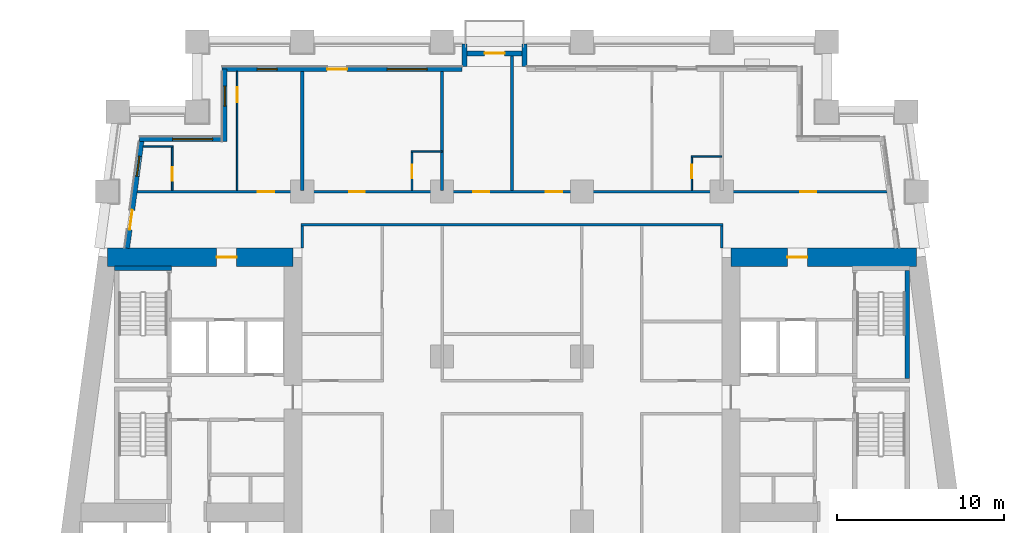
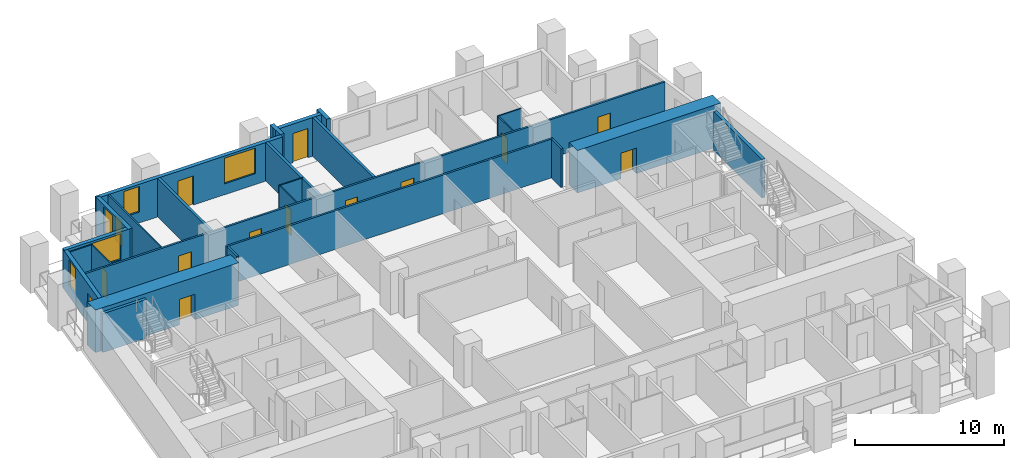
# One storey, part 6 of 12: 25 walls, 14 doors, 5 windows, 19 openings.
"""IFC4 building model written with IfcOpenShell, lengths in metres."""

import ifcopenshell
import ifcopenshell.guid

model = None  # the IFC model being written
_history = None  # IfcOwnerHistory: only IFC2X3 demands one
_inside = {}  # id of a spatial element -> (the spatial element, [elements in it])
_under = {}  # id of a project, library or spatial element -> (it, [spatial elements below it])
_declared = {}  # id of a project -> (the project, [libraries it declares])
_typed = {}  # id of a type object -> (the type object, [elements of that type])
_made_of = {}  # id of a material, layer set ... -> (it, [elements and type objects made of it])


def new_model(schema):
    """Start an empty IFC model of exactly this schema.

    Asked for "IFC4X3", IfcOpenShell would pick the latest addendum, in which some entities
    have other attributes; the version numbers below select the first issue.
    IFC2X3 requires an IfcOwnerHistory on every rooted entity: one is made here for all.
    """
    global model, _history
    if schema == "IFC4X3":
        model = ifcopenshell.file(schema_version=(4, 3, 0, 0))
    else:
        model = ifcopenshell.file(schema=schema)
    _inside.clear()
    _under.clear()
    _declared.clear()
    _typed.clear()
    _made_of.clear()
    _history = None
    if model.schema == "IFC2X3":
        org = make("IfcOrganization", Name="unknown")
        user = make(
            "IfcPersonAndOrganization",
            ThePerson=make("IfcPerson", FamilyName="unknown"),
            TheOrganization=org,
        )
        app = make(
            "IfcApplication",
            ApplicationDeveloper=org,
            Version="unknown",
            ApplicationFullName="unknown",
            ApplicationIdentifier="unknown",
        )
        _history = make(
            "IfcOwnerHistory",
            OwningUser=user,
            OwningApplication=app,
            ChangeAction="ADDED",
            CreationDate=0,
        )
    return model


def make(cls, **values):
    """One entity of the class cls with the attributes given. An attribute that is None is left unset."""
    return model.create_entity(
        cls, **{name: value for name, value in values.items() if value is not None}
    )


def rooted(cls, **values):
    """An entity with a GlobalId (a new one), such as an element, a storey or a relation."""
    return make(cls, GlobalId=ifcopenshell.guid.new(), OwnerHistory=_history, **values)


def si_unit(unit_type, name, prefix=None):
    """IfcSIUnit, for example si_unit("LENGTHUNIT", "METRE", prefix="MILLI")."""
    return make("IfcSIUnit", UnitType=unit_type, Prefix=prefix, Name=name)


def assignment(units):
    """IfcUnitAssignment: the units of a project."""
    return None if units is None else make("IfcUnitAssignment", Units=units)


def point(xyz):
    """IfcCartesianPoint."""
    return None if xyz is None else make("IfcCartesianPoint", Coordinates=xyz)


def direction(xyz):
    """IfcDirection."""
    return None if xyz is None else make("IfcDirection", DirectionRatios=xyz)


def frame(location, z_axis=None, x_axis=None):
    """IfcAxis2Placement3D, a coordinate frame: its origin and axes. An axis left out is left unset."""
    return make(
        "IfcAxis2Placement3D",
        Location=point(location),
        Axis=direction(z_axis),
        RefDirection=direction(x_axis),
    )


def frame_2d(location, x_axis=None):
    """IfcAxis2Placement2D, a coordinate frame in the plane: its origin and x axis."""
    return make(
        "IfcAxis2Placement2D", Location=point(location), RefDirection=direction(x_axis)
    )


def origin():
    """The frame at (0, 0, 0) with its axes left unset."""
    return frame((0.0, 0.0, 0.0))


def place(relative_to, where):
    """IfcLocalPlacement: puts the frame where relative to a parent placement (None: the world)."""
    return make(
        "IfcLocalPlacement", PlacementRelTo=relative_to, RelativePlacement=where
    )


def context(
    kind, dimensions, precision=None, world=None, true_north=None, identifier=None
):
    """IfcGeometricRepresentationContext, for example the 3D "Model" context."""
    return make(
        "IfcGeometricRepresentationContext",
        ContextIdentifier=identifier,
        ContextType=kind,
        CoordinateSpaceDimension=dimensions,
        Precision=precision,
        WorldCoordinateSystem=world,
        TrueNorth=true_north,
    )


def subcontext(parent, identifier, kind, view, scale=None):
    """IfcGeometricRepresentationSubContext, for example "Body" below "Model"."""
    return make(
        "IfcGeometricRepresentationSubContext",
        ContextIdentifier=identifier,
        ContextType=kind,
        ParentContext=parent,
        TargetScale=scale,
        TargetView=view,
    )


def project(units=None, contexts=None):
    """IfcProject with its units and contexts."""
    return rooted(
        "IfcProject",
        Name="project",
        RepresentationContexts=contexts,
        UnitsInContext=assignment(units),
    )


def spatial(cls, under=None, at=None, **own):
    """A site, building, storey or space (cls), placed at a placement, below another one or the project."""
    s = rooted(cls, ObjectPlacement=at, **own)
    if under is not None:
        _under.setdefault(under.id(), (under, []))[1].append(s)
    return s


def profile(cls, at=None, kind="AREA", **sizes):
    """A parametric profile (cls). Its sizes go by their IFC names, for example OverallWidth=200.0."""
    return make(cls, ProfileType=kind, Position=at, **sizes)


def rectangle(**sizes):
    """IfcRectangleProfileDef."""
    return profile("IfcRectangleProfileDef", **sizes)


def extrude(swept, where, along, depth):
    """IfcExtrudedAreaSolid: the profile swept, set in the frame where, extruded along a direction by depth."""
    return make(
        "IfcExtrudedAreaSolid",
        SweptArea=swept,
        Position=where,
        ExtrudedDirection=direction(along),
        Depth=depth,
    )


def shape(context_of_items, identifier, shape_type, items):
    """IfcShapeRepresentation: the items that make up one representation, for example the "Body"."""
    return make(
        "IfcShapeRepresentation",
        ContextOfItems=context_of_items,
        RepresentationIdentifier=identifier,
        RepresentationType=shape_type,
        Items=items,
    )


def material(Name=None, Category=None):
    """IfcMaterial."""
    return make("IfcMaterial", Name=Name, Category=Category)


def layer(
    of_material, thickness, ventilated=None, Name=None, Category=None, Priority=None
):
    """IfcMaterialLayer: one layer of a wall or slab, of a material (None: an air gap)."""
    return make(
        "IfcMaterialLayer",
        Material=of_material,
        LayerThickness=thickness,
        IsVentilated=ventilated,
        Name=Name,
        Category=Category,
        Priority=Priority,
    )


def layer_set(layers, Name=None):
    """IfcMaterialLayerSet."""
    return make("IfcMaterialLayerSet", MaterialLayers=layers, LayerSetName=Name)


def made_of(thing, what):
    """Note that an element or type object is made of a material, layer set ...; save() writes the relation."""
    if what is not None:
        _made_of.setdefault(what.id(), (what, []))[1].append(thing)
    return thing


def type_object(cls, material=None, **own):
    """A type object (cls), such as IfcWallType, which elements share."""
    return made_of(rooted(cls, **own), material)


def element(
    cls,
    number,
    at=None,
    inside=None,
    cuts=None,
    type_object=None,
    material=None,
    context=None,
    identifier="Body",
    shape_type=None,
    held_by="IfcProductDefinitionShape",
    body=None,
    shapes=None,
    **own,
):
    """One element of the class cls, such as IfcWall. Its Tag is "e" and its number.

    at: its placement. inside: the storey or other place that contains it. cuts: it is an
    opening in that element (IfcRelVoidsElement). A single representation is given by context,
    identifier, shape_type and body (its items); several are given by shapes. held_by: the class
    of the entity that holds the representations. save() writes the other relations.
    """
    e = rooted(cls, Tag="e%d" % number, ObjectPlacement=at, **own)
    if body is not None:
        shapes = [shape(context, identifier, shape_type, body)]
    if shapes is not None:
        e.Representation = make(held_by, Representations=shapes)
    if inside is not None:
        _inside.setdefault(inside.id(), (inside, []))[1].append(e)
    if cuts is not None:
        rooted(
            "IfcRelVoidsElement", RelatingBuildingElement=cuts, RelatedOpeningElement=e
        )
    if type_object is not None:
        _typed.setdefault(type_object.id(), (type_object, []))[1].append(e)
    return made_of(e, material)


def fill(opening, filler):
    """IfcRelFillsElement: the door or window that sits in an opening."""
    return rooted(
        "IfcRelFillsElement",
        RelatingOpeningElement=opening,
        RelatedBuildingElement=filler,
    )


def aggregate(whole, parts):
    """IfcRelAggregates: a whole, such as a stair, and the parts it consists of."""
    return rooted("IfcRelAggregates", RelatingObject=whole, RelatedObjects=parts)


def save(model, path):
    """Write the relations noted so far, then the file.

    IfcRelAggregates (storeys below a building ...), IfcRelContainedInSpatialStructure (elements
    in a storey), IfcRelDefinesByType, IfcRelAssociatesMaterial and IfcRelDeclares: one each for
    every whole, place, type object, material and project.
    """
    for whole, parts in _under.values():
        aggregate(whole, parts)
    for where, things in _inside.values():
        rooted(
            "IfcRelContainedInSpatialStructure",
            RelatedElements=things,
            RelatingStructure=where,
        )
    for kind, things in _typed.values():
        rooted("IfcRelDefinesByType", RelatedObjects=things, RelatingType=kind)
    for what, things in _made_of.values():
        rooted("IfcRelAssociatesMaterial", RelatedObjects=things, RelatingMaterial=what)
    for by, libraries in _declared.values():
        rooted("IfcRelDeclares", RelatingContext=by, RelatedDefinitions=libraries)
    model.write(path)


model = new_model("IFC4")

# Units and contexts
model_context = context("Model", 3, precision=1e-05, world=origin(), true_north=direction((0.0, 1.0)))
body_context = subcontext(model_context, "Body", "Model", "MODEL_VIEW")
ifc_project = project(units=[si_unit("LENGTHUNIT", "METRE"), si_unit("AREAUNIT", "SQUARE_METRE"), si_unit("VOLUMEUNIT", "CUBIC_METRE"), si_unit("PLANEANGLEUNIT", "RADIAN"), si_unit("MASSUNIT", "GRAM", prefix="KILO")], contexts=[model_context])

# Site, building, storey
site_placement = place(None, origin())
site = spatial("IfcSite", under=ifc_project, at=site_placement, CompositionType="ELEMENT")
building_placement = place(site_placement, origin())
building = spatial("IfcBuilding", under=site, at=building_placement, Name="Candeia Pilgrim Tower and Theatre", CompositionType="ELEMENT")
storey_placement = place(building_placement, frame((0.0, 0.0, 39.0)))
storey = spatial("IfcBuildingStorey", under=building, at=storey_placement, Name="L06", CompositionType="ELEMENT", Elevation=39.0)

# Wall, opening, door
ifc_material_1 = material(Name="Concrete C80/95", Category="concrete")
ifc_layer_1 = layer(ifc_material_1, 1.10009765625)
ifc_layer_set_1 = layer_set([ifc_layer_1], Name="Core wall 1100 C80/95")
wall_type_1 = type_object("IfcWallType", Name="Core wall 1100 C80/95", PredefinedType="SHEAR", material=ifc_layer_set_1)
wall_1_placement = place(storey_placement, frame((89.111572265625, 131.85009765625, 0.0), z_axis=(0.0, 0.0, 1.0), x_axis=(1.0, 0.0, 0.0)))
wall_1 = element("IfcWall", 1, at=wall_1_placement, inside=storey, type_object=wall_type_1, Name="Core wall W1", PredefinedType="SHEAR", context=body_context, shape_type="SweptSolid", body=[
    extrude(rectangle(XDim=11.138427734375, YDim=1.10009765625, at=frame_2d((5.5693359375, 0.0))), origin(), (0.0, 0.0, 1.0), 3.5),
])
opening_1_placement = place(wall_1_placement, frame((6.5517578125, 0.0, 0.0)))
opening_1 = element("IfcOpeningElement", 2, at=opening_1_placement, cuts=wall_1, Name="Opening L06-D054", PredefinedType="OPENING", context=body_context, shape_type="SweptSolid", body=[
    extrude(rectangle(XDim=1.199951171875, YDim=2.10009765625, at=frame_2d((0.60009765625, 1.050048828125))), frame((0.0, 0.56005859375, 0.0), z_axis=(0.0, -1.0, 0.0), x_axis=(1.0, 0.0, 0.0)), (0.0, 0.0, 1.0), 1.1201171875),
])
ifc_material_2 = material(Name="Steel fire door set", Category="steel")
door_type_1 = type_object("IfcDoorType", Name="D-1200-FD60", OperationType="NOTDEFINED", PredefinedType="DOOR", material=ifc_material_2)
door_1_placement = place(opening_1_placement, origin())
door_1 = element("IfcDoor", 3, at=door_1_placement, inside=storey, type_object=door_type_1, Name="Door L06-D054", OperationType="SINGLE_SWING_RIGHT", OverallHeight=2.10009765625, OverallWidth=1.199951171875, PredefinedType="DOOR", context=body_context, shape_type="SweptSolid", body=[
    extrude(rectangle(XDim=1.199951171875, YDim=2.10009765625, at=frame_2d((0.60009765625, 1.050048828125))), frame((0.0, 0.02490234375, 0.0), z_axis=(0.0, -1.0, 0.0), x_axis=(1.0, 0.0, 0.0)), (0.0, 0.0, 1.0), 0.050048828125),
])
fill(opening_1, door_1)

wall_2_placement = place(storey_placement, frame((126.550048828125, 131.85009765625, 0.0), z_axis=(0.0, 0.0, 1.0), x_axis=(1.0, 0.0, 0.0)))
wall_2 = element("IfcWall", 4, at=wall_2_placement, inside=storey, type_object=wall_type_1, Name="Core wall E1", PredefinedType="SHEAR", context=body_context, shape_type="SweptSolid", body=[
    extrude(rectangle(XDim=11.13818359375, YDim=1.10009765625, at=frame_2d((5.569091796875, 0.0))), origin(), (0.0, 0.0, 1.0), 3.5),
])
opening_2_placement = place(wall_2_placement, frame((3.386474609375, 0.0, 0.0)))
opening_2 = element("IfcOpeningElement", 5, at=opening_2_placement, cuts=wall_2, Name="Opening L06-D057", PredefinedType="OPENING", context=body_context, shape_type="SweptSolid", body=[
    extrude(rectangle(XDim=1.199951171875, YDim=2.10009765625, at=frame_2d((0.60009765625, 1.050048828125))), frame((0.0, 0.56005859375, 0.0), z_axis=(0.0, -1.0, 0.0), x_axis=(1.0, 0.0, 0.0)), (0.0, 0.0, 1.0), 1.1201171875),
])
door_2_placement = place(opening_2_placement, origin())
door_2 = element("IfcDoor", 6, at=door_2_placement, inside=storey, type_object=door_type_1, Name="Door L06-D057", OperationType="SINGLE_SWING_LEFT", OverallHeight=2.10009765625, OverallWidth=1.199951171875, PredefinedType="DOOR", context=body_context, shape_type="SweptSolid", body=[
    extrude(rectangle(XDim=1.199951171875, YDim=2.10009765625, at=frame_2d((0.60009765625, 1.050048828125))), frame((0.0, 0.02490234375, 0.0), z_axis=(0.0, -1.0, 0.0), x_axis=(1.0, 0.0, 0.0)), (0.0, 0.0, 1.0), 0.050048828125),
])
fill(opening_2, door_2)

# Wall, openings, door, windows
ifc_material_3 = material(Name="Ceramic block masonry", Category="masonry")
ifc_layer_2 = layer(ifc_material_3, 0.300048828125)
ifc_layer_set_2 = layer_set([ifc_layer_2], Name="EW1 glazing-line wall 300")
wall_type_2 = type_object("IfcWallType", Name="EW1 glazing-line wall 300", PredefinedType="SOLIDWALL", material=ifc_layer_set_2)
wall_3_placement = place(storey_placement, frame((110.39990234375, 143.14990234375, 0.0), z_axis=(0.0, 0.0, 1.0), x_axis=(-1.0, 0.0, 0.0)))
wall_3 = element("IfcWall", 7, at=wall_3_placement, inside=storey, type_object=wall_type_2, Name="External wall L06-6.1", PredefinedType="SOLIDWALL", context=body_context, shape_type="SweptSolid", body=[
    extrude(rectangle(XDim=14.39990234375, YDim=0.300048828125, at=frame_2d((7.199951171875, 0.0))), origin(), (0.0, 0.0, 1.0), 3.179931640625),
])
opening_3_placement = place(wall_3_placement, frame((2.10009765625, 0.0, 0.89990234375)))
opening_3 = element("IfcOpeningElement", 8, at=opening_3_placement, cuts=wall_3, Name="Opening W-A", PredefinedType="OPENING", context=body_context, shape_type="SweptSolid", body=[
    extrude(rectangle(XDim=2.39990234375, YDim=2.10009765625, at=frame_2d((1.199951171875, 1.050048828125))), frame((0.0, 0.16015625, 0.0), z_axis=(0.0, -1.0, 0.0), x_axis=(1.0, 0.0, 0.0)), (0.0, 0.0, 1.0), 0.320068359375),
])
opening_4_placement = place(wall_3_placement, frame((6.89990234375, 0.0, 0.0)))
opening_4 = element("IfcOpeningElement", 9, at=opening_4_placement, cuts=wall_3, Name="Opening L06-ED087", PredefinedType="OPENING", context=body_context, shape_type="SweptSolid", body=[
    extrude(rectangle(XDim=1.199951171875, YDim=2.39990234375, at=frame_2d((0.60009765625, 1.199951171875))), frame((0.0, 0.16015625, 0.0), z_axis=(0.0, -1.0, 0.0), x_axis=(1.0, 0.0, 0.0)), (0.0, 0.0, 1.0), 0.320068359375),
])
opening_5_placement = place(wall_3_placement, frame((11.10009765625, 0.0, 0.89990234375)))
opening_5 = element("IfcOpeningElement", 10, at=opening_5_placement, cuts=wall_3, Name="Opening W-B", PredefinedType="OPENING", context=body_context, shape_type="SweptSolid", body=[
    extrude(rectangle(XDim=1.199951171875, YDim=2.10009765625, at=frame_2d((0.60009765625, 1.050048828125))), frame((0.0, 0.16015625, 0.0), z_axis=(0.0, -1.0, 0.0), x_axis=(1.0, 0.0, 0.0)), (0.0, 0.0, 1.0), 0.320068359375),
])
ifc_material_4 = material(Name="Aluminium framed glazed door", Category="aluminium")
door_type_2 = type_object("IfcDoorType", Name="Loggia door 1200x2400", OperationType="DOUBLE_DOOR_SINGLE_SWING", PredefinedType="DOOR", material=ifc_material_4)
door_3_placement = place(opening_4_placement, origin())
door_3 = element("IfcDoor", 11, at=door_3_placement, inside=storey, type_object=door_type_2, Name="Loggia door L06-ED087", OperationType="DOUBLE_DOOR_SINGLE_SWING", OverallHeight=2.39990234375, OverallWidth=1.199951171875, PredefinedType="DOOR", context=body_context, shape_type="SweptSolid", body=[
    extrude(rectangle(XDim=1.199951171875, YDim=2.39990234375, at=frame_2d((0.60009765625, 1.199951171875))), frame((0.0, 0.02490234375, 0.0), z_axis=(0.0, -1.0, 0.0), x_axis=(1.0, 0.0, 0.0)), (0.0, 0.0, 1.0), 0.050048828125),
])
fill(opening_4, door_3)
ifc_material_5 = material(Name="Aluminium framed double glazing", Category="aluminium")
window_type_1 = type_object("IfcWindowType", Name="W-A window 2400x2100", PartitioningType="DOUBLE_PANEL_VERTICAL", PredefinedType="WINDOW", material=ifc_material_5)
window_1_placement = place(opening_3_placement, origin())
window_1 = element("IfcWindow", 12, at=window_1_placement, inside=storey, type_object=window_type_1, Name="Window W-A L06", OverallHeight=2.10009765625, OverallWidth=2.39990234375, PartitioningType="SINGLE_PANEL", PredefinedType="WINDOW", context=body_context, shape_type="SweptSolid", body=[
    extrude(rectangle(XDim=2.39990234375, YDim=2.10009765625, at=frame_2d((1.199951171875, 1.050048828125))), frame((0.0, 0.030029296875, 0.0), z_axis=(0.0, -1.0, 0.0), x_axis=(1.0, 0.0, 0.0)), (0.0, 0.0, 1.0), 0.06005859375),
])
fill(opening_3, window_1)
window_type_2 = type_object("IfcWindowType", Name="W-B window 1200x2100", PartitioningType="SINGLE_PANEL", PredefinedType="WINDOW", material=ifc_material_5)
window_2_placement = place(opening_5_placement, origin())
window_2 = element("IfcWindow", 13, at=window_2_placement, inside=storey, type_object=window_type_2, Name="Window W-B L06", OverallHeight=2.10009765625, OverallWidth=1.199951171875, PartitioningType="SINGLE_PANEL", PredefinedType="WINDOW", context=body_context, shape_type="SweptSolid", body=[
    extrude(rectangle(XDim=1.199951171875, YDim=2.10009765625, at=frame_2d((0.60009765625, 1.050048828125))), frame((0.0, 0.030029296875, 0.0), z_axis=(0.0, -1.0, 0.0), x_axis=(1.0, 0.0, 0.0)), (0.0, 0.0, 1.0), 0.06005859375),
])
fill(opening_5, window_2)

# Wall, opening, window
wall_4_placement = place(storey_placement, frame((96.14990234375, 143.14990234375, 0.0), z_axis=(0.0, 0.0, 1.0), x_axis=(0.0, -1.0, 0.0)))
wall_4 = element("IfcWall", 14, at=wall_4_placement, inside=storey, type_object=wall_type_2, Name="External wall L06-7.0", PredefinedType="SOLIDWALL", context=body_context, shape_type="SweptSolid", body=[
    extrude(rectangle(XDim=4.349853515625, YDim=0.300048828125, at=frame_2d((2.1748046875, 0.0))), origin(), (0.0, 0.0, 1.0), 3.179931640625),
])
opening_6_placement = place(wall_4_placement, frame((1.02490234375, 0.0, 0.89990234375)))
opening_6 = element("IfcOpeningElement", 15, at=opening_6_placement, cuts=wall_4, Name="Opening W-B", PredefinedType="OPENING", context=body_context, shape_type="SweptSolid", body=[
    extrude(rectangle(XDim=1.199951171875, YDim=2.10009765625, at=frame_2d((0.60009765625, 1.050048828125))), frame((0.0, 0.16015625, 0.0), z_axis=(0.0, -1.0, 0.0), x_axis=(1.0, 0.0, 0.0)), (0.0, 0.0, 1.0), 0.320068359375),
])
window_3_placement = place(opening_6_placement, origin())
window_3 = element("IfcWindow", 16, at=window_3_placement, inside=storey, type_object=window_type_2, Name="Window W-B L06", OverallHeight=2.10009765625, OverallWidth=1.199951171875, PartitioningType="SINGLE_PANEL", PredefinedType="WINDOW", context=body_context, shape_type="SweptSolid", body=[
    extrude(rectangle(XDim=1.199951171875, YDim=2.10009765625, at=frame_2d((0.60009765625, 1.050048828125))), frame((0.0, 0.030029296875, 0.0), z_axis=(0.0, -1.0, 0.0), x_axis=(1.0, 0.0, 0.0)), (0.0, 0.0, 1.0), 0.06005859375),
])
fill(opening_6, window_3)

wall_5_placement = place(storey_placement, frame((96.14990234375, 138.949951171875, 0.0), z_axis=(0.0, 0.0, 1.0), x_axis=(-1.0, 0.0, 0.0)))
wall_5 = element("IfcWall", 17, at=wall_5_placement, inside=storey, type_object=wall_type_2, Name="External wall L06-8.0", PredefinedType="SOLIDWALL", context=body_context, shape_type="SweptSolid", body=[
    extrude(rectangle(XDim=5.103759765625, YDim=0.300048828125, at=frame_2d((2.5517578125, 0.0))), origin(), (0.0, 0.0, 1.0), 3.179931640625),
])
opening_7_placement = place(wall_5_placement, frame((0.72509765625, 0.0, 0.89990234375)))
opening_7 = element("IfcOpeningElement", 18, at=opening_7_placement, cuts=wall_5, Name="Opening W-A", PredefinedType="OPENING", context=body_context, shape_type="SweptSolid", body=[
    extrude(rectangle(XDim=2.39990234375, YDim=2.10009765625, at=frame_2d((1.199951171875, 1.050048828125))), frame((0.0, 0.16015625, 0.0), z_axis=(0.0, -1.0, 0.0), x_axis=(1.0, 0.0, 0.0)), (0.0, 0.0, 1.0), 0.320068359375),
])
window_4_placement = place(opening_7_placement, origin())
window_4 = element("IfcWindow", 19, at=window_4_placement, inside=storey, type_object=window_type_1, Name="Window W-A L06", OverallHeight=2.10009765625, OverallWidth=2.39990234375, PartitioningType="SINGLE_PANEL", PredefinedType="WINDOW", context=body_context, shape_type="SweptSolid", body=[
    extrude(rectangle(XDim=2.39990234375, YDim=2.10009765625, at=frame_2d((1.199951171875, 1.050048828125))), frame((0.0, 0.030029296875, 0.0), z_axis=(0.0, -1.0, 0.0), x_axis=(1.0, 0.0, 0.0)), (0.0, 0.0, 1.0), 0.06005859375),
])
fill(opening_7, window_4)

# Wall, openings, door, window
wall_6_placement = place(storey_placement, frame((91.177490234375, 138.949951171875, 0.0), z_axis=(0.0, 0.0, 1.0), x_axis=(-0.133426664613, -0.991058689065, 0.0)))
wall_6 = element("IfcWall", 20, at=wall_6_placement, inside=storey, type_object=wall_type_2, Name="External wall L06-9.0", PredefinedType="SOLIDWALL", context=body_context, shape_type="SweptSolid", body=[
    extrude(rectangle(XDim=6.609130859375, YDim=0.300048828125, at=frame_2d((3.3046875, 0.0))), origin(), (0.0, 0.0, 1.0), 3.179931640625),
])
opening_8_placement = place(wall_6_placement, frame((1.039306640625, 0.0, 0.89990234375)))
opening_8 = element("IfcOpeningElement", 21, at=opening_8_placement, cuts=wall_6, Name="Opening W-B", PredefinedType="OPENING", context=body_context, shape_type="SweptSolid", body=[
    extrude(rectangle(XDim=1.199951171875, YDim=2.10009765625, at=frame_2d((0.60009765625, 1.050048828125))), frame((0.0, 0.16015625, 0.0), z_axis=(0.0, -1.0, 0.0), x_axis=(1.0, 0.0, 0.0)), (0.0, 0.0, 1.0), 0.320068359375),
])
opening_9_placement = place(wall_6_placement, frame((4.293701171875, 0.0, 0.0)))
opening_9 = element("IfcOpeningElement", 22, at=opening_9_placement, cuts=wall_6, Name="Opening L06-ED089", PredefinedType="OPENING", context=body_context, shape_type="SweptSolid", body=[
    extrude(rectangle(XDim=1.199951171875, YDim=2.39990234375, at=frame_2d((0.60009765625, 1.199951171875))), frame((0.0, 0.16015625, 0.0), z_axis=(0.0, -1.0, 0.0), x_axis=(1.0, 0.0, 0.0)), (0.0, 0.0, 1.0), 0.320068359375),
])
door_4_placement = place(opening_9_placement, origin())
door_4 = element("IfcDoor", 23, at=door_4_placement, inside=storey, type_object=door_type_2, Name="Loggia door L06-ED089", OperationType="DOUBLE_DOOR_SINGLE_SWING", OverallHeight=2.39990234375, OverallWidth=1.199951171875, PredefinedType="DOOR", context=body_context, shape_type="SweptSolid", body=[
    extrude(rectangle(XDim=1.199951171875, YDim=2.39990234375, at=frame_2d((0.60009765625, 1.199951171875))), frame((0.0, 0.02490234375, 0.0), z_axis=(0.0, -1.0, 0.0), x_axis=(1.0, 0.0, 0.0)), (0.0, 0.0, 1.0), 0.050048828125),
])
fill(opening_9, door_4)
window_5_placement = place(opening_8_placement, origin())
window_5 = element("IfcWindow", 24, at=window_5_placement, inside=storey, type_object=window_type_2, Name="Window W-B L06", OverallHeight=2.10009765625, OverallWidth=1.199951171875, PartitioningType="SINGLE_PANEL", PredefinedType="WINDOW", context=body_context, shape_type="SweptSolid", body=[
    extrude(rectangle(XDim=1.199951171875, YDim=2.10009765625, at=frame_2d((0.60009765625, 1.050048828125))), frame((0.0, 0.030029296875, 0.0), z_axis=(0.0, -1.0, 0.0), x_axis=(1.0, 0.0, 0.0)), (0.0, 0.0, 1.0), 0.06005859375),
])
fill(opening_8, window_5)

# Walls
ifc_layer_3 = layer(ifc_material_3, 0.300048828125)
ifc_layer_set_3 = layer_set([ifc_layer_3], Name="EW2 entrance infill wall 300")
wall_type_3 = type_object("IfcWallType", Name="EW2 entrance infill wall 300", PredefinedType="SOLIDWALL", material=ifc_layer_set_3)
for number, where, z_axis, x_axis, name in (
    (25, (114.14990234375, 143.300048828125, 0.0), (0.0, 0.0, 1.0), (0.0, 1.0, 0.0), "Alcove wall L06"),
    (26, (110.550048828125, 143.300048828125, 0.0), (0.0, 0.0, 1.0), (0.0, 1.0, 0.0), "Alcove wall L06"),
):
    element("IfcWall", number, at=place(storey_placement, frame(where, z_axis=z_axis, x_axis=x_axis)), inside=storey, type_object=wall_type_3, Name=name, PredefinedType="SOLIDWALL", context=body_context, shape_type="SweptSolid", body=[
        extrude(rectangle(XDim=1.349853515625, YDim=0.300048828125, at=frame_2d((0.6748046875, 0.0))), origin(), (0.0, 0.0, 1.0), 3.179931640625),
    ])

# Wall, opening, door
wall_7_placement = place(storey_placement, frame((114.300048828125, 144.10009765625, 0.0), z_axis=(0.0, 0.0, 1.0), x_axis=(-1.0, 0.0, 0.0)))
wall_7 = element("IfcWall", 27, at=wall_7_placement, inside=storey, type_object=wall_type_3, Name="Alcove wall L06", PredefinedType="SOLIDWALL", context=body_context, shape_type="SweptSolid", body=[
    extrude(rectangle(XDim=3.900146484375, YDim=0.300048828125, at=frame_2d((1.9501953125, 0.0))), origin(), (0.0, 0.0, 1.0), 3.179931640625),
])
opening_10_placement = place(wall_7_placement, frame((1.35009765625, 0.0, 0.0)))
opening_10 = element("IfcOpeningElement", 28, at=opening_10_placement, cuts=wall_7, Name="Opening L06-ED088", PredefinedType="OPENING", context=body_context, shape_type="SweptSolid", body=[
    extrude(rectangle(XDim=1.199951171875, YDim=2.39990234375, at=frame_2d((0.60009765625, 1.199951171875))), frame((0.0, 0.16015625, 0.0), z_axis=(0.0, -1.0, 0.0), x_axis=(1.0, 0.0, 0.0)), (0.0, 0.0, 1.0), 0.320068359375),
])
door_5_placement = place(opening_10_placement, origin())
door_5 = element("IfcDoor", 29, at=door_5_placement, inside=storey, type_object=door_type_2, Name="Balcony door L06-ED088", OperationType="DOUBLE_DOOR_SINGLE_SWING", OverallHeight=2.39990234375, OverallWidth=1.199951171875, PredefinedType="DOOR", context=body_context, shape_type="SweptSolid", body=[
    extrude(rectangle(XDim=1.199951171875, YDim=2.39990234375, at=frame_2d((0.60009765625, 1.199951171875))), frame((0.0, 0.02490234375, 0.0), z_axis=(0.0, -1.0, 0.0), x_axis=(1.0, 0.0, 0.0)), (0.0, 0.0, 1.0), 0.050048828125),
])
fill(opening_10, door_5)

# Walls
ifc_material_6 = material(Name="Gypsum board partition on steel studs", Category="steel")
ifc_layer_4 = layer(ifc_material_6, 0.10009765625)
ifc_layer_set_4 = layer_set([ifc_layer_4], Name="PW-100 room partition")
wall_type_4 = type_object("IfcWallType", Name="PW-100 room partition", PredefinedType="PARTITIONING", material=ifc_layer_set_4)
wall_8_placement = place(storey_placement, frame((124.14990234375, 137.89990234375, 0.0), z_axis=(0.0, 0.0, 1.0), x_axis=(1.0, 0.0, 0.0)))
element("IfcWall", 30, at=wall_8_placement, inside=storey, type_object=wall_type_4, Name="Room partition L06-047", PredefinedType="PARTITIONING", context=body_context, shape_type="SweptSolid", body=[
    extrude(rectangle(XDim=1.85009765625, YDim=0.10009765625, at=frame_2d((0.925048828125, 0.0))), origin(), (0.0, 0.0, 1.0), 3.179931640625),
])
wall_9_placement = place(storey_placement, frame((107.35009765625, 138.199951171875, 0.0), z_axis=(0.0, 0.0, 1.0), x_axis=(1.0, 0.0, 0.0)))
element("IfcWall", 31, at=wall_9_placement, inside=storey, type_object=wall_type_4, Name="Room partition L06-048", PredefinedType="PARTITIONING", context=body_context, shape_type="SweptSolid", body=[
    extrude(rectangle(XDim=1.849853515625, YDim=0.10009765625, at=frame_2d((0.9248046875, 0.0))), origin(), (0.0, 0.0, 1.0), 3.179931640625),
])
wall_10_placement = place(storey_placement, frame((91.258056640625, 138.5, 0.0), z_axis=(0.0, 0.0, 1.0), x_axis=(1.0, 0.0, 0.0)))
element("IfcWall", 32, at=wall_10_placement, inside=storey, type_object=wall_type_4, Name="Room partition L06-049", PredefinedType="PARTITIONING", context=body_context, shape_type="SweptSolid", body=[
    extrude(rectangle(XDim=1.7919921875, YDim=0.10009765625, at=frame_2d((0.89599609375, 0.0))), origin(), (0.0, 0.0, 1.0), 3.179931640625),
])

# Wall, opening, door
wall_11_placement = place(storey_placement, frame((93.0, 135.875, 0.0), z_axis=(0.0, 0.0, 1.0), x_axis=(0.0, 1.0, 0.0)))
wall_11 = element("IfcWall", 33, at=wall_11_placement, inside=storey, type_object=wall_type_4, Name="Room partition L06-062", PredefinedType="PARTITIONING", context=body_context, shape_type="SweptSolid", body=[
    extrude(rectangle(XDim=2.574951171875, YDim=0.10009765625, at=frame_2d((1.28759765625, 0.0))), origin(), (0.0, 0.0, 1.0), 3.179931640625),
])
opening_11_placement = place(wall_11_placement, frame((0.574951171875, 0.0, 0.0)))
opening_11 = element("IfcOpeningElement", 34, at=opening_11_placement, cuts=wall_11, Name="Opening L06-D033", PredefinedType="OPENING", context=body_context, shape_type="SweptSolid", body=[
    extrude(rectangle(XDim=0.800048828125, YDim=2.10009765625, at=frame_2d((0.39990234375, 1.050048828125))), frame((0.0, 0.06005859375, 0.0), z_axis=(0.0, -1.0, 0.0), x_axis=(1.0, 0.0, 0.0)), (0.0, 0.0, 1.0), 0.1201171875),
])
ifc_material_7 = material(Name="Timber door leaf", Category="wood")
door_type_3 = type_object("IfcDoorType", Name="D-800", OperationType="NOTDEFINED", PredefinedType="DOOR", material=ifc_material_7)
door_6_placement = place(opening_11_placement, origin())
door_6 = element("IfcDoor", 35, at=door_6_placement, inside=storey, type_object=door_type_3, Name="Door L06-D033", OperationType="SINGLE_SWING_LEFT", OverallHeight=2.10009765625, OverallWidth=0.800048828125, PredefinedType="DOOR", context=body_context, shape_type="SweptSolid", body=[
    extrude(rectangle(XDim=0.800048828125, YDim=2.10009765625, at=frame_2d((0.39990234375, 1.050048828125))), frame((0.0, 0.02490234375, 0.0), z_axis=(0.0, -1.0, 0.0), x_axis=(1.0, 0.0, 0.0)), (0.0, 0.0, 1.0), 0.050048828125),
])
fill(opening_11, door_6)

wall_12_placement = place(storey_placement, frame((96.89990234375, 135.875, 0.0), z_axis=(0.0, 0.0, 1.0), x_axis=(0.0, 1.0, 0.0)))
wall_12 = element("IfcWall", 36, at=wall_12_placement, inside=storey, type_object=wall_type_4, Name="Room partition L06-068", PredefinedType="PARTITIONING", context=body_context, shape_type="SweptSolid", body=[
    extrude(rectangle(XDim=7.135009765625, YDim=0.10009765625, at=frame_2d((3.5673828125, 0.0))), origin(), (0.0, 0.0, 1.0), 3.179931640625),
])
opening_12_placement = place(wall_12_placement, frame((5.2900390625, 0.0, 0.0)))
opening_12 = element("IfcOpeningElement", 37, at=opening_12_placement, cuts=wall_12, Name="Opening L06-D032", PredefinedType="OPENING", context=body_context, shape_type="SweptSolid", body=[
    extrude(rectangle(XDim=0.89990234375, YDim=2.10009765625, at=frame_2d((0.449951171875, 1.050048828125))), frame((0.0, 0.06005859375, 0.0), z_axis=(0.0, -1.0, 0.0), x_axis=(1.0, 0.0, 0.0)), (0.0, 0.0, 1.0), 0.1201171875),
])
door_type_4 = type_object("IfcDoorType", Name="D-900", OperationType="NOTDEFINED", PredefinedType="DOOR", material=ifc_material_7)
door_7_placement = place(opening_12_placement, origin())
door_7 = element("IfcDoor", 38, at=door_7_placement, inside=storey, type_object=door_type_4, Name="Door L06-D032", OperationType="SINGLE_SWING_RIGHT", OverallHeight=2.10009765625, OverallWidth=0.89990234375, PredefinedType="DOOR", context=body_context, shape_type="SweptSolid", body=[
    extrude(rectangle(XDim=0.89990234375, YDim=2.10009765625, at=frame_2d((0.449951171875, 1.050048828125))), frame((0.0, 0.02490234375, 0.0), z_axis=(0.0, -1.0, 0.0), x_axis=(1.0, 0.0, 0.0)), (0.0, 0.0, 1.0), 0.050048828125),
])
fill(opening_12, door_7)

wall_13_placement = place(storey_placement, frame((107.39990234375, 135.875, 0.0), z_axis=(0.0, 0.0, 1.0), x_axis=(0.0, 1.0, 0.0)))
wall_13 = element("IfcWall", 39, at=wall_13_placement, inside=storey, type_object=wall_type_4, Name="Room partition L06-079", PredefinedType="PARTITIONING", context=body_context, shape_type="SweptSolid", body=[
    extrude(rectangle(XDim=2.27490234375, YDim=0.10009765625, at=frame_2d((1.137451171875, 0.0))), origin(), (0.0, 0.0, 1.0), 3.179931640625),
])
opening_13_placement = place(wall_13_placement, frame((0.72509765625, 0.0, 0.0)))
opening_13 = element("IfcOpeningElement", 40, at=opening_13_placement, cuts=wall_13, Name="Opening L06-D035", PredefinedType="OPENING", context=body_context, shape_type="SweptSolid", body=[
    extrude(rectangle(XDim=0.800048828125, YDim=2.10009765625, at=frame_2d((0.39990234375, 1.050048828125))), frame((0.0, 0.06005859375, 0.0), z_axis=(0.0, -1.0, 0.0), x_axis=(1.0, 0.0, 0.0)), (0.0, 0.0, 1.0), 0.1201171875),
])
door_8_placement = place(opening_13_placement, origin())
door_8 = element("IfcDoor", 41, at=door_8_placement, inside=storey, type_object=door_type_3, Name="Door L06-D035", OperationType="SINGLE_SWING_LEFT", OverallHeight=2.10009765625, OverallWidth=0.800048828125, PredefinedType="DOOR", context=body_context, shape_type="SweptSolid", body=[
    extrude(rectangle(XDim=0.800048828125, YDim=2.10009765625, at=frame_2d((0.39990234375, 1.050048828125))), frame((0.0, 0.02490234375, 0.0), z_axis=(0.0, -1.0, 0.0), x_axis=(1.0, 0.0, 0.0)), (0.0, 0.0, 1.0), 0.050048828125),
])
fill(opening_13, door_8)

wall_14_placement = place(storey_placement, frame((124.199951171875, 135.875, 0.0), z_axis=(0.0, 0.0, 1.0), x_axis=(0.0, 1.0, 0.0)))
wall_14 = element("IfcWall", 42, at=wall_14_placement, inside=storey, type_object=wall_type_4, Name="Room partition L06-096", PredefinedType="PARTITIONING", context=body_context, shape_type="SweptSolid", body=[
    extrude(rectangle(XDim=1.97509765625, YDim=0.10009765625, at=frame_2d((0.987548828125, 0.0))), origin(), (0.0, 0.0, 1.0), 3.179931640625),
])
opening_14_placement = place(wall_14_placement, frame((0.72509765625, 0.0, 0.0)))
opening_14 = element("IfcOpeningElement", 43, at=opening_14_placement, cuts=wall_14, Name="Opening L06-D039", PredefinedType="OPENING", context=body_context, shape_type="SweptSolid", body=[
    extrude(rectangle(XDim=0.800048828125, YDim=2.10009765625, at=frame_2d((0.39990234375, 1.050048828125))), frame((0.0, 0.06005859375, 0.0), z_axis=(0.0, -1.0, 0.0), x_axis=(1.0, 0.0, 0.0)), (0.0, 0.0, 1.0), 0.1201171875),
])
door_9_placement = place(opening_14_placement, origin())
door_9 = element("IfcDoor", 44, at=door_9_placement, inside=storey, type_object=door_type_3, Name="Door L06-D039", OperationType="SINGLE_SWING_LEFT", OverallHeight=2.10009765625, OverallWidth=0.800048828125, PredefinedType="DOOR", context=body_context, shape_type="SweptSolid", body=[
    extrude(rectangle(XDim=0.800048828125, YDim=2.10009765625, at=frame_2d((0.39990234375, 1.050048828125))), frame((0.0, 0.02490234375, 0.0), z_axis=(0.0, -1.0, 0.0), x_axis=(1.0, 0.0, 0.0)), (0.0, 0.0, 1.0), 0.050048828125),
])
fill(opening_14, door_9)

# Wall
ifc_layer_5 = layer(ifc_material_6, 0.14990234375)
ifc_layer_set_5 = layer_set([ifc_layer_5], Name="PW-150 unit wall")
wall_type_5 = type_object("IfcWallType", Name="PW-150 unit wall", PredefinedType="PARTITIONING", material=ifc_layer_set_5)
wall_15_placement = place(storey_placement, frame((100.72509765625, 133.800048828125, 0.0), z_axis=(0.0, 0.0, 1.0), x_axis=(1.0, 0.0, 0.0)))
element("IfcWall", 45, at=wall_15_placement, inside=storey, type_object=wall_type_5, Name="Unit wall L06-045", PredefinedType="PARTITIONING", context=body_context, shape_type="SweptSolid", body=[
    extrude(rectangle(XDim=25.349853515625, YDim=0.14990234375, at=frame_2d((12.6748046875, 0.0))), origin(), (0.0, 0.0, 1.0), 3.179931640625),
])

# Wall, openings, doors
wall_16_placement = place(storey_placement, frame((90.89453125, 135.800048828125, 0.0), z_axis=(0.0, 0.0, 1.0), x_axis=(1.0, 0.0, 0.0)))
wall_16 = element("IfcWall", 46, at=wall_16_placement, inside=storey, type_object=wall_type_5, Name="Unit wall L06-046", PredefinedType="PARTITIONING", context=body_context, shape_type="SweptSolid", body=[
    extrude(rectangle(XDim=45.010986328125, YDim=0.14990234375, at=frame_2d((22.50537109375, 0.0))), origin(), (0.0, 0.0, 1.0), 3.179931640625),
])
opening_15_placement = place(wall_16_placement, frame((7.2353515625, 0.0, 0.0)))
opening_15 = element("IfcOpeningElement", 47, at=opening_15_placement, cuts=wall_16, Name="Opening L06-D031", PredefinedType="OPENING", context=body_context, shape_type="SweptSolid", body=[
    extrude(rectangle(XDim=1.0, YDim=2.10009765625, at=frame_2d((0.5, 1.050048828125))), frame((0.0, 0.0849609375, 0.0), z_axis=(0.0, -1.0, 0.0), x_axis=(1.0, 0.0, 0.0)), (0.0, 0.0, 1.0), 0.169921875),
])
opening_16_placement = place(wall_16_placement, frame((12.73046875, 0.0, 0.0)))
opening_16 = element("IfcOpeningElement", 48, at=opening_16_placement, cuts=wall_16, Name="Opening L06-D034", PredefinedType="OPENING", context=body_context, shape_type="SweptSolid", body=[
    extrude(rectangle(XDim=0.949951171875, YDim=2.10009765625, at=frame_2d((0.47509765625, 1.050048828125))), frame((0.0, 0.0849609375, 0.0), z_axis=(0.0, -1.0, 0.0), x_axis=(1.0, 0.0, 0.0)), (0.0, 0.0, 1.0), 0.169921875),
])
opening_17_placement = place(wall_16_placement, frame((20.185302734375, 0.0, 0.0)))
opening_17 = element("IfcOpeningElement", 49, at=opening_17_placement, cuts=wall_16, Name="Opening L06-D036", PredefinedType="OPENING", context=body_context, shape_type="SweptSolid", body=[
    extrude(rectangle(XDim=0.949951171875, YDim=2.10009765625, at=frame_2d((0.47509765625, 1.050048828125))), frame((0.0, 0.0849609375, 0.0), z_axis=(0.0, -1.0, 0.0), x_axis=(1.0, 0.0, 0.0)), (0.0, 0.0, 1.0), 0.169921875),
])
opening_18_placement = place(wall_16_placement, frame((24.530517578125, 0.0, 0.0)))
opening_18 = element("IfcOpeningElement", 50, at=opening_18_placement, cuts=wall_16, Name="Opening L06-D037", PredefinedType="OPENING", context=body_context, shape_type="SweptSolid", body=[
    extrude(rectangle(XDim=1.0, YDim=2.10009765625, at=frame_2d((0.5, 1.050048828125))), frame((0.0, 0.0849609375, 0.0), z_axis=(0.0, -1.0, 0.0), x_axis=(1.0, 0.0, 0.0)), (0.0, 0.0, 1.0), 0.169921875),
])
opening_19_placement = place(wall_16_placement, frame((39.814453125, 0.0, 0.0)))
opening_19 = element("IfcOpeningElement", 51, at=opening_19_placement, cuts=wall_16, Name="Opening L06-D040", PredefinedType="OPENING", context=body_context, shape_type="SweptSolid", body=[
    extrude(rectangle(XDim=0.949951171875, YDim=2.10009765625, at=frame_2d((0.47509765625, 1.050048828125))), frame((0.0, 0.0849609375, 0.0), z_axis=(0.0, -1.0, 0.0), x_axis=(1.0, 0.0, 0.0)), (0.0, 0.0, 1.0), 0.169921875),
])
door_type_5 = type_object("IfcDoorType", Name="D-1000-FD30S", OperationType="NOTDEFINED", PredefinedType="DOOR", material=ifc_material_2)
door_10_placement = place(opening_15_placement, origin())
door_10 = element("IfcDoor", 52, at=door_10_placement, inside=storey, type_object=door_type_5, Name="Door L06-D031", OperationType="SINGLE_SWING_LEFT", OverallHeight=2.10009765625, OverallWidth=1.0, PredefinedType="DOOR", context=body_context, shape_type="SweptSolid", body=[
    extrude(rectangle(XDim=1.0, YDim=2.10009765625, at=frame_2d((0.5, 1.050048828125))), frame((0.0, 0.02490234375, 0.0), z_axis=(0.0, -1.0, 0.0), x_axis=(1.0, 0.0, 0.0)), (0.0, 0.0, 1.0), 0.050048828125),
])
fill(opening_15, door_10)
door_11_placement = place(opening_18_placement, origin())
door_11 = element("IfcDoor", 53, at=door_11_placement, inside=storey, type_object=door_type_5, Name="Door L06-D037", OperationType="SINGLE_SWING_LEFT", OverallHeight=2.10009765625, OverallWidth=1.0, PredefinedType="DOOR", context=body_context, shape_type="SweptSolid", body=[
    extrude(rectangle(XDim=1.0, YDim=2.10009765625, at=frame_2d((0.5, 1.050048828125))), frame((0.0, 0.02490234375, 0.0), z_axis=(0.0, -1.0, 0.0), x_axis=(1.0, 0.0, 0.0)), (0.0, 0.0, 1.0), 0.050048828125),
])
fill(opening_18, door_11)
door_type_6 = type_object("IfcDoorType", Name="D-950-FD30S", OperationType="NOTDEFINED", PredefinedType="DOOR", material=ifc_material_2)
door_12_placement = place(opening_16_placement, origin())
door_12 = element("IfcDoor", 54, at=door_12_placement, inside=storey, type_object=door_type_6, Name="Door L06-D034", OperationType="SINGLE_SWING_RIGHT", OverallHeight=2.10009765625, OverallWidth=0.949951171875, PredefinedType="DOOR", context=body_context, shape_type="SweptSolid", body=[
    extrude(rectangle(XDim=0.949951171875, YDim=2.10009765625, at=frame_2d((0.47509765625, 1.050048828125))), frame((0.0, 0.02490234375, 0.0), z_axis=(0.0, -1.0, 0.0), x_axis=(1.0, 0.0, 0.0)), (0.0, 0.0, 1.0), 0.050048828125),
])
fill(opening_16, door_12)
door_13_placement = place(opening_17_placement, origin())
door_13 = element("IfcDoor", 55, at=door_13_placement, inside=storey, type_object=door_type_6, Name="Door L06-D036", OperationType="SINGLE_SWING_RIGHT", OverallHeight=2.10009765625, OverallWidth=0.949951171875, PredefinedType="DOOR", context=body_context, shape_type="SweptSolid", body=[
    extrude(rectangle(XDim=0.949951171875, YDim=2.10009765625, at=frame_2d((0.47509765625, 1.050048828125))), frame((0.0, 0.02490234375, 0.0), z_axis=(0.0, -1.0, 0.0), x_axis=(1.0, 0.0, 0.0)), (0.0, 0.0, 1.0), 0.050048828125),
])
fill(opening_17, door_13)
door_14_placement = place(opening_19_placement, origin())
door_14 = element("IfcDoor", 56, at=door_14_placement, inside=storey, type_object=door_type_6, Name="Door L06-D040", OperationType="SINGLE_SWING_RIGHT", OverallHeight=2.10009765625, OverallWidth=0.949951171875, PredefinedType="DOOR", context=body_context, shape_type="SweptSolid", body=[
    extrude(rectangle(XDim=0.949951171875, YDim=2.10009765625, at=frame_2d((0.47509765625, 1.050048828125))), frame((0.0, 0.02490234375, 0.0), z_axis=(0.0, -1.0, 0.0), x_axis=(1.0, 0.0, 0.0)), (0.0, 0.0, 1.0), 0.050048828125),
])
fill(opening_19, door_14)

# Walls
for number, where, z_axis, x_axis, name in (
    (57, (100.800048828125, 132.39990234375, 0.0), (0.0, 0.0, 1.0), (0.0, 1.0, 0.0), "Unit wall L06-075"),
    (58, (126.0, 132.39990234375, 0.0), (0.0, 0.0, 1.0), (0.0, 1.0, 0.0), "Unit wall L06-099"),
):
    element("IfcWall", number, at=place(storey_placement, frame(where, z_axis=z_axis, x_axis=x_axis)), inside=storey, type_object=wall_type_5, Name=name, PredefinedType="PARTITIONING", context=body_context, shape_type="SweptSolid", body=[
        extrude(rectangle(XDim=1.3251953125, YDim=0.14990234375, at=frame_2d((0.66259765625, 0.0))), origin(), (0.0, 0.0, 1.0), 3.179931640625),
    ])
ifc_layer_6 = layer(ifc_material_6, 0.199951171875)
ifc_layer_set_6 = layer_set([ifc_layer_6], Name="PW-200 party wall")
wall_type_6 = type_object("IfcWallType", Name="PW-200 party wall", PredefinedType="PARTITIONING", material=ifc_layer_set_6)
for number, where, z_axis, x_axis, name in (
    (59, (100.800048828125, 135.875, 0.0), (0.0, 0.0, 1.0), (0.0, 1.0, 0.0), "Party wall L06-073"),
    (60, (109.199951171875, 135.875, 0.0), (0.0, 0.0, 1.0), (0.0, 1.0, 0.0), "Party wall L06-081"),
):
    element("IfcWall", number, at=place(storey_placement, frame(where, z_axis=z_axis, x_axis=x_axis)), inside=storey, type_object=wall_type_6, Name=name, PredefinedType="PARTITIONING", context=body_context, shape_type="SweptSolid", body=[
        extrude(rectangle(XDim=7.135009765625, YDim=0.199951171875, at=frame_2d((3.5673828125, 0.0))), origin(), (0.0, 0.0, 1.0), 3.179931640625),
    ])
wall_17_placement = place(storey_placement, frame((113.39990234375, 135.875, 0.0), z_axis=(0.0, 0.0, 1.0), x_axis=(0.0, 1.0, 0.0)))
element("IfcWall", 61, at=wall_17_placement, inside=storey, type_object=wall_type_6, Name="Party wall L06-086", PredefinedType="PARTITIONING", context=body_context, shape_type="SweptSolid", body=[
    extrude(rectangle(XDim=8.0849609375, YDim=0.199951171875, at=frame_2d((4.04248046875, 0.0))), origin(), (0.0, 0.0, 1.0), 3.179931640625),
])
ifc_material_8 = material(Name="Concrete C40/50", Category="concrete")
ifc_layer_7 = layer(ifc_material_8, 0.25)
ifc_layer_set_7 = layer_set([ifc_layer_7], Name="SW-250 stair wall")
wall_type_7 = type_object("IfcWallType", Name="SW-250 stair wall", PredefinedType="PARTITIONING", material=ifc_layer_set_7)
wall_18_placement = place(storey_placement, frame((89.552001953125, 131.199951171875, 0.0), z_axis=(0.0, 0.0, 1.0), x_axis=(1.0, 0.0, 0.0)))
element("IfcWall", 62, at=wall_18_placement, inside=storey, type_object=wall_type_7, Name="Stair wall L06-043", PredefinedType="PARTITIONING", context=body_context, shape_type="SweptSolid", body=[
    extrude(rectangle(XDim=3.39990234375, YDim=0.25, at=frame_2d((1.699951171875, 0.0))), origin(), (0.0, 0.0, 1.0), 3.179931640625),
])
wall_19_placement = place(storey_placement, frame((137.123046875, 124.574951171875, 0.0), z_axis=(0.0, 0.0, 1.0), x_axis=(0.0, 1.0, 0.0)))
element("IfcWall", 63, at=wall_19_placement, inside=storey, type_object=wall_type_7, Name="Stair wall L06-116", PredefinedType="PARTITIONING", context=body_context, shape_type="SweptSolid", body=[
    extrude(rectangle(XDim=6.5, YDim=0.25, at=frame_2d((3.25, 0.0))), origin(), (0.0, 0.0, 1.0), 3.179931640625),
])

save(model, "model.ifc")
